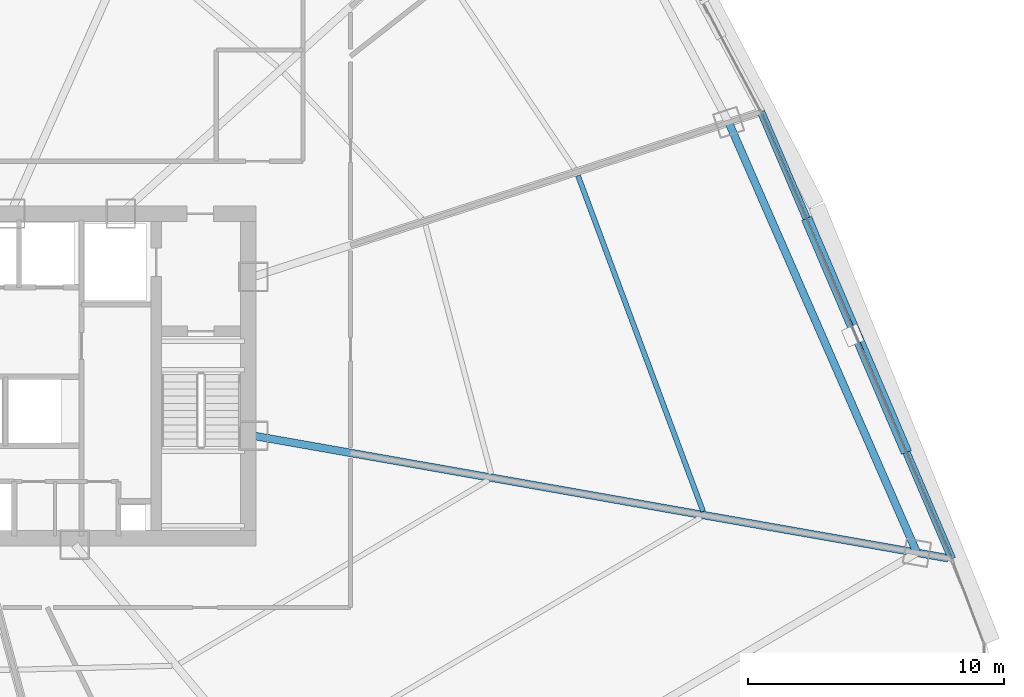
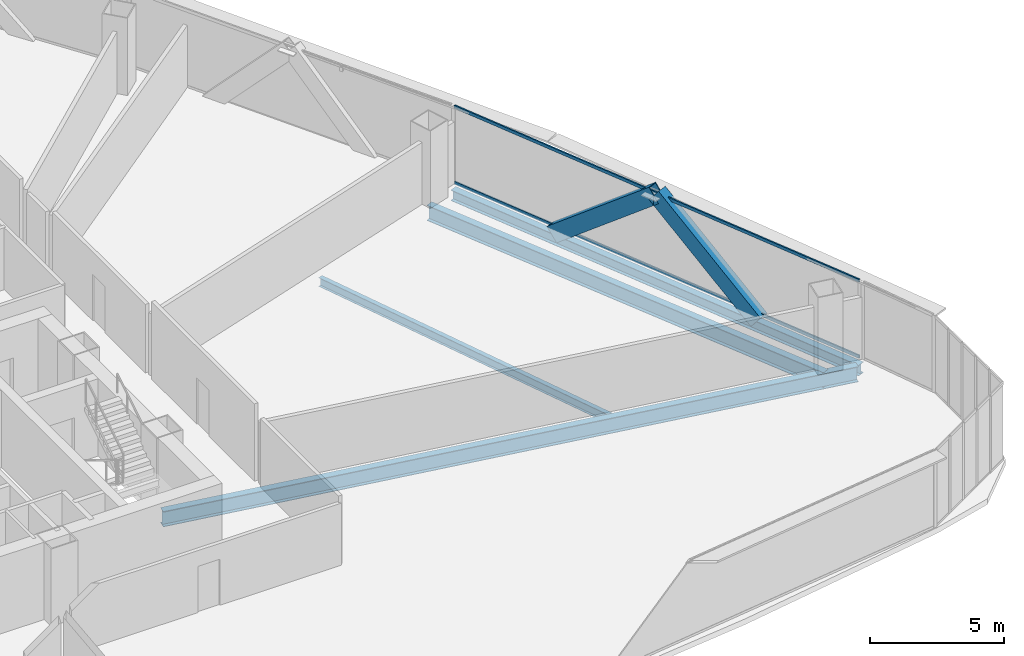
# One storey, part 25 of 41: 4 beams, 4 members, 1 element without a shape of its own.
"""IFC4 building model written with IfcOpenShell, lengths in metres."""

from ifc_helpers import new_model, si_unit, direction, frame, origin, origin_2d, place, context, subcontext, project, spatial, hollow_rectangle, i_section, extrude, source, transform, mapped, material, layer, layer_set, material_profile, profile_set, type_object, element, aggregate, save


model = new_model("IFC4")

# Units and contexts
model_context = context("Model", 3, precision=1e-05, world=origin(), true_north=direction((0.0, 1.0)))
body_context = subcontext(model_context, "Body", "Model", "MODEL_VIEW")
ifc_project = project(units=[si_unit("LENGTHUNIT", "METRE"), si_unit("AREAUNIT", "SQUARE_METRE"), si_unit("VOLUMEUNIT", "CUBIC_METRE"), si_unit("PLANEANGLEUNIT", "RADIAN"), si_unit("MASSUNIT", "GRAM", prefix="KILO"), si_unit("THERMODYNAMICTEMPERATUREUNIT", "KELVIN"), si_unit("POWERUNIT", "WATT")], contexts=[model_context])

# Site, building, storey
site_placement = place(None, origin())
site = spatial("IfcSite", under=ifc_project, at=site_placement, CompositionType="ELEMENT")
building_placement = place(site_placement, origin())
building = spatial("IfcBuilding", under=site, at=building_placement, Name="Yunzhuo Pagoda Commons", CompositionType="ELEMENT")
storey_placement = place(building_placement, frame((0.0, 0.0, 115.3798828125)))
storey = spatial("IfcBuildingStorey", under=building, at=storey_placement, Name="L29", CompositionType="ELEMENT", Elevation=115.3798828125)

# Beams
ifc_material_1 = material(Name="Structural steel Q355B", Category="steel")
ifc_material_profile_1 = material_profile(ifc_material_1, i_section(OverallWidth=0.300048828125, OverallDepth=0.699951171875, WebThickness=0.012939453125, FlangeThickness=0.02392578125, at=origin_2d()), Name="Structural steel Q355B")
ifc_profile_set_1 = profile_set([ifc_material_profile_1], Name="Structural steel Q355B")
beam_type_1 = type_object("IfcBeamType", Name="B-RG1 Beam HN 700x300x13x24", PredefinedType="BEAM", material=ifc_profile_set_1)
shared_shape_1 = source(origin(), body_context, "Body", "SweptSolid", [
    extrude(i_section(OverallWidth=0.300048828125, OverallDepth=0.699951171875, WebThickness=0.012939453125, FlangeThickness=0.02392578125, at=origin_2d()), origin(), (0.0, 0.0, 1.0), 18.37158203125),
])
beam_1_placement = place(storey_placement, frame((86.352783203125, 26.9375, -0.609619140625), z_axis=(-0.400729599795, 0.916196369698, 0.0), x_axis=(-0.916196369698, -0.400729599795, 0.0)))
element("IfcBeam", 1, at=beam_1_placement, inside=storey, type_object=beam_type_1, Name="L29 column-ring beam 5", PredefinedType="BEAM", context=body_context, shape_type="MappedRepresentation", body=[
    mapped(shared_shape_1, transform((0.0, 0.0, 0.0), scale=1.0)),
])
ifc_material_profile_2 = material_profile(ifc_material_1, i_section(OverallWidth=0.199951171875, OverallDepth=0.39990234375, WebThickness=0.008056640625, FlangeThickness=0.012939453125, at=origin_2d()), Name="Structural steel Q355B")
ifc_profile_set_2 = profile_set([ifc_material_profile_2], Name="Structural steel Q355B")
beam_type_2 = type_object("IfcBeamType", Name="B-JS1 Joist HN 400x200x8x13", PredefinedType="JOIST", material=ifc_profile_set_2)
shared_shape_2 = source(origin(), body_context, "Body", "SweptSolid", [
    extrude(i_section(OverallWidth=0.199951171875, OverallDepth=0.39990234375, WebThickness=0.008056640625, FlangeThickness=0.012939453125, at=origin_2d()), origin(), (0.0, 0.0, 1.0), 14.01904296875),
])
beam_2_placement = place(storey_placement, frame((77.992431640625, 28.55078125, -0.4599609375), z_axis=(-0.349168392993, 0.937059994523, 0.0), x_axis=(-0.937059994523, -0.349168392993, 0.0)))
element("IfcBeam", 2, at=beam_2_placement, inside=storey, type_object=beam_type_2, Name="L29 composite ring joist 2.5", PredefinedType="JOIST", context=body_context, shape_type="MappedRepresentation", body=[
    mapped(shared_shape_2, transform((0.0, 0.0, 0.0), scale=1.0)),
])
shared_shape_3 = source(origin(), body_context, "Body", "SweptSolid", [
    extrude(i_section(OverallWidth=0.300048828125, OverallDepth=0.699951171875, WebThickness=0.012939453125, FlangeThickness=0.02392578125, at=origin_2d()), origin(), (0.0, 0.0, 1.0), 27.59228515625),
])
beam_3_placement = place(storey_placement, frame((87.572998046875, 26.72216796875, -0.609619140625), z_axis=(-0.984808311773, 0.173645008747, 0.0), x_axis=(-0.173645008747, -0.984808311773, 0.0)))
element("IfcBeam", 3, at=beam_3_placement, inside=storey, type_object=beam_type_1, Name="L29 radial floor girder F2C1", PredefinedType="BEAM", context=body_context, shape_type="MappedRepresentation", body=[
    mapped(shared_shape_3, transform((0.0, 0.0, 0.0), scale=1.0)),
])
ifc_material_profile_3 = material_profile(ifc_material_1, i_section(OverallWidth=0.300048828125, OverallDepth=0.488037109375, WebThickness=0.010986328125, FlangeThickness=0.01806640625, at=origin_2d()), Name="Structural steel Q355B")
ifc_profile_set_3 = profile_set([ifc_material_profile_3], Name="Structural steel Q355B")
beam_type_3 = type_object("IfcBeamType", Name="B-SP1 Beam HM 488x300x11x18", PredefinedType="BEAM", material=ifc_profile_set_3)
shared_shape_4 = source(origin(), body_context, "Body", "SweptSolid", [
    extrude(i_section(OverallWidth=0.300048828125, OverallDepth=0.488037109375, WebThickness=0.010986328125, FlangeThickness=0.01806640625, at=origin_2d()), origin(), (0.0, 0.0, 1.0), 19.013671875),
])
beam_4_placement = place(storey_placement, frame((87.7255859375, 26.695556640625, -0.50390625), z_axis=(-0.392730365154, 0.919653663226, 0.0), x_axis=(-0.919653663226, -0.392730365154, 0.0)))
element("IfcBeam", 4, at=beam_4_placement, inside=storey, type_object=beam_type_3, Name="L29 facade edge spandrel beam F2.1", PredefinedType="BEAM", context=body_context, shape_type="MappedRepresentation", body=[
    mapped(shared_shape_4, transform((0.0, 0.0, 0.0), scale=1.0)),
])

# Members
ifc_material_2 = material(Name="Structural steel Q420B", Category="steel")
ifc_material_profile_4 = material_profile(ifc_material_2, hollow_rectangle(XDim=0.419921875, YDim=0.719970703125, WallThickness=0.028076171875, at=origin_2d()), Name="Structural steel Q420B")
ifc_profile_set_4 = profile_set([ifc_material_profile_4], Name="Structural steel Q420B")
member_type_1 = type_object("IfcMemberType", Name="M-DL1 Brace BOX 720x420x28", PredefinedType="BRACE", material=ifc_profile_set_4)
shared_shape_5 = source(origin(), body_context, "Body", "SweptSolid", [
    extrude(hollow_rectangle(XDim=0.419921875, YDim=0.719970703125, WallThickness=0.028076171875, at=origin_2d()), origin(), (0.0, 0.0, 1.0), 6.07275390625),
])
member_1_placement = place(storey_placement, frame((85.85888671875, 31.067138671875, -0.259765625), z_axis=(-0.307427885938, 0.719784081317, 0.622413826349), x_axis=(-0.919630521758, -0.392784550932, 0.0)))
element("IfcMember", 5, at=member_1_placement, inside=storey, type_object=member_type_1, Name="L29 facade diamond brace F2.1L", PredefinedType="BRACE", context=body_context, shape_type="MappedRepresentation", body=[
    mapped(shared_shape_5, transform((0.0, 0.0, 0.0), scale=1.0)),
])
shared_shape_6 = source(origin(), body_context, "Body", "SweptSolid", [
    extrude(hollow_rectangle(XDim=0.419921875, YDim=0.719970703125, WallThickness=0.028076171875, at=origin_2d()), origin(), (0.0, 0.0, 1.0), 6.0732421875),
])
member_2_placement = place(storey_placement, frame((82.125, 39.81005859375, -0.259765625), z_axis=(0.307401199, -0.719842195696, 0.622359796379), x_axis=(0.919654290218, 0.392728896929, 0.0)))
element("IfcMember", 6, at=member_2_placement, inside=storey, type_object=member_type_1, Name="L29 facade diamond brace F2.1R", PredefinedType="BRACE", context=body_context, shape_type="MappedRepresentation", body=[
    mapped(shared_shape_6, transform((0.0, 0.0, 0.0), scale=1.0)),
])

# Curtain wall, members
ifc_material_3 = material(Name="Anodized aluminium 6063-T6", Category="aluminium")
ifc_layer = layer(ifc_material_3, 0.1650390625)
ifc_layer_set = layer_set([ifc_layer], Name="Anodized aluminium 6063-T6")
curtain_wall_type = type_object("IfcCurtainWallType", Name="CW-LOW Low-Zone Ribbon Curtain Wall", PredefinedType="NOTDEFINED", material=ifc_layer_set)
curtain_wall_placement = place(storey_placement, origin())
curtain_wall = element("IfcCurtainWall", 7, at=curtain_wall_placement, inside=storey, type_object=curtain_wall_type, Name="L29 curtain wall CW-L29-F2B2", PredefinedType="NOTDEFINED")
ifc_material_profile_5 = material_profile(ifc_material_3, hollow_rectangle(XDim=0.06005859375, YDim=0.139892578125, WallThickness=0.00341796875, at=origin_2d()), Name="Anodized aluminium 6063-T6")
ifc_profile_set_5 = profile_set([ifc_material_profile_5], Name="Anodized aluminium 6063-T6")
member_type_2 = type_object("IfcMemberType", Name="CW-LOW-T Transom RHS 140x60x3.5", PredefinedType="USERDEFINED", material=ifc_profile_set_5)
shared_shape_7 = source(origin(), body_context, "Body", "SweptSolid", [
    extrude(hollow_rectangle(XDim=0.06005859375, YDim=0.139892578125, WallThickness=0.00341796875, at=origin_2d()), origin(), (0.0, 0.0, 1.0), 18.8837890625),
])
member_3_placement = place(storey_placement, frame((87.7001953125, 26.755126953125, 0.030029296875), z_axis=(-0.392744037399, 0.919647824489, 0.0), x_axis=(-0.919647824489, -0.392744037399, 0.0)))
member_3 = element("IfcMember", 8, at=member_3_placement, type_object=member_type_2, Name="CW transom 1.1", ObjectType="TRANSOM", PredefinedType="USERDEFINED", context=body_context, shape_type="MappedRepresentation", body=[
    mapped(shared_shape_7, transform((0.0, 0.0, 0.0), scale=1.0)),
])
member_4_placement = place(storey_placement, frame((87.7001953125, 26.755126953125, 3.490234375), z_axis=(-0.392744037399, 0.919647824489, 0.0), x_axis=(-0.919647824489, -0.392744037399, 0.0)))
member_4 = element("IfcMember", 9, at=member_4_placement, type_object=member_type_2, Name="CW transom 1.2", ObjectType="TRANSOM", PredefinedType="USERDEFINED", context=body_context, shape_type="MappedRepresentation", body=[
    mapped(shared_shape_7, transform((0.0, 0.0, 0.0), scale=1.0)),
])
aggregate(curtain_wall, [member_3, member_4])

save(model, "model.ifc")
